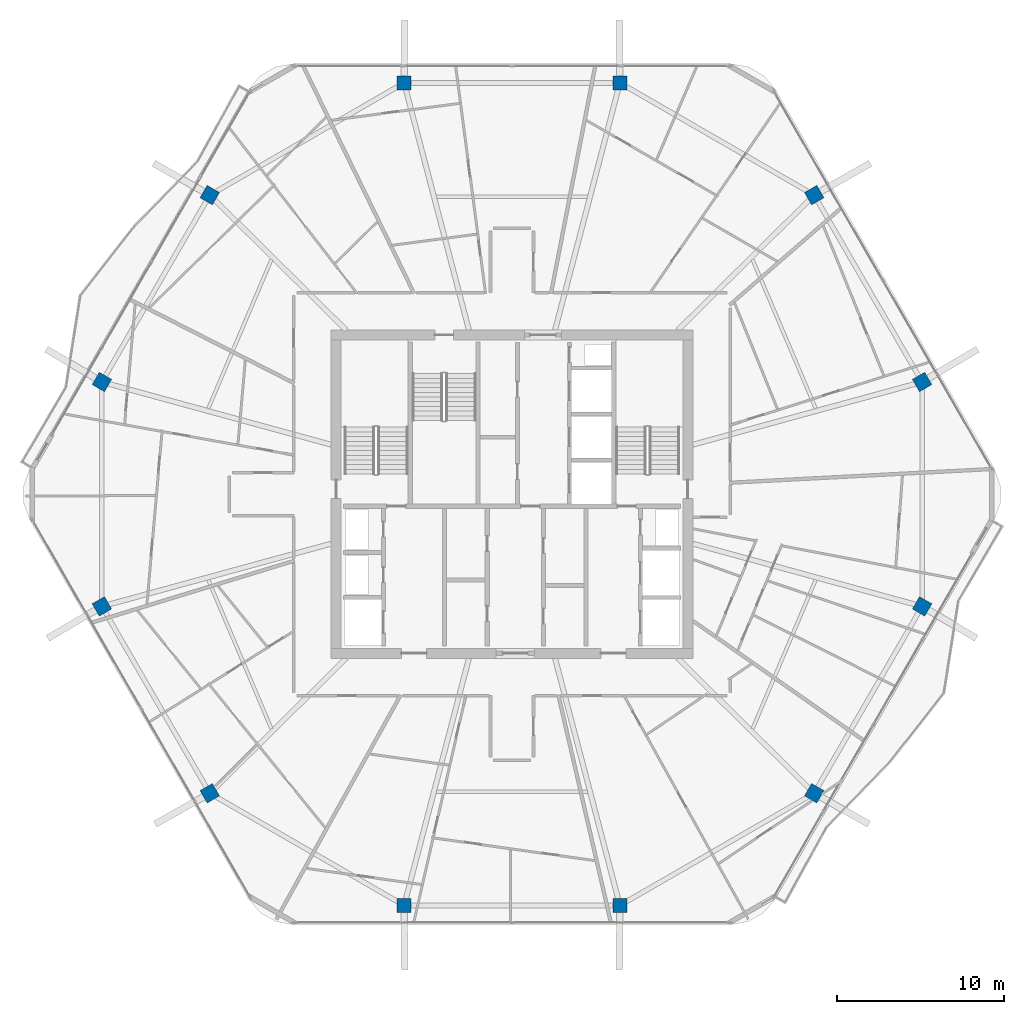
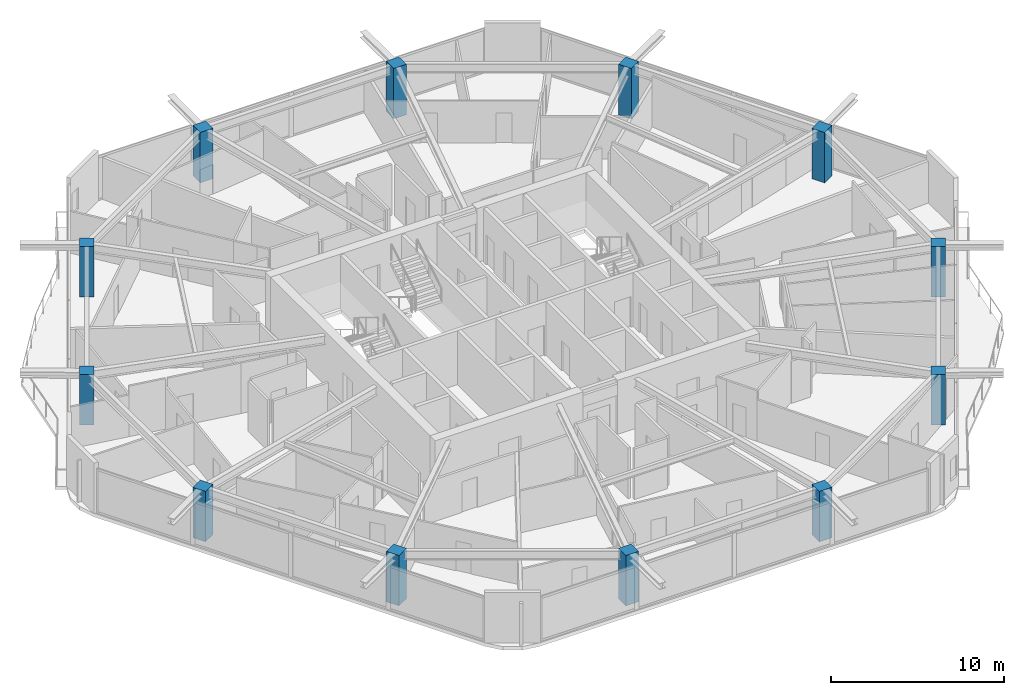
# One storey, part 1 of 26: 12 columns.
"""IFC4 building model written with IfcOpenShell, lengths in metres."""

from ifc_helpers import new_model, si_unit, direction, frame, origin, origin_2d, place, context, subcontext, project, spatial, rectangle, extrude, material, material_profile, profile_set, type_object, element, save


model = new_model("IFC4")

# Units and contexts
model_context = context("Model", 3, precision=1e-05, world=origin(), true_north=direction((0.0, 1.0)))
body_context = subcontext(model_context, "Body", "Model", "MODEL_VIEW")
ifc_project = project(units=[si_unit("LENGTHUNIT", "METRE"), si_unit("AREAUNIT", "SQUARE_METRE"), si_unit("VOLUMEUNIT", "CUBIC_METRE"), si_unit("PLANEANGLEUNIT", "RADIAN"), si_unit("MASSUNIT", "GRAM", prefix="KILO")], contexts=[model_context])

# Site, building, storey
site_placement = place(None, origin())
site = spatial("IfcSite", under=ifc_project, at=site_placement, CompositionType="ELEMENT")
building_placement = place(site_placement, origin())
building = spatial("IfcBuilding", under=site, at=building_placement, Name="Zuhravey Tower", CompositionType="ELEMENT")
storey_placement = place(building_placement, frame((0.0, 0.0, 280.60009765625)))
storey = spatial("IfcBuildingStorey", under=building, at=storey_placement, Name="L71", CompositionType="ELEMENT", Elevation=280.60009765625)

# Columns
ifc_material = material(Name="Concrete C50/60", Category="concrete")
ifc_material_profile = material_profile(ifc_material, rectangle(XDim=0.85009765625, YDim=0.85009765625, at=origin_2d()), Name="RC-850x850")
ifc_profile_set = profile_set([ifc_material_profile], Name="Concrete C50/60")
column_type = type_object("IfcColumnType", Name="Zone 3 Upper Column 850x850", PredefinedType="COLUMN", material=ifc_profile_set)
for number, where, z_axis, x_axis, name in (
    (1, (60.484619140625, 38.698974609375, 0.0), (0.0, 0.0, 1.0), (-0.5, 0.866025403784, 0.0), "L71 Perimeter Column PC01"),
    (2, (54.043701171875, 49.854736328125, 0.0), (0.0, 0.0, 1.0), (-0.5, 0.866025403784, 0.0), "L71 Perimeter Column PC02"),
    (3, (42.44091796875, 56.5537109375, 0.0), (0.0, 0.0, 1.0), (-1.0, 0.0, 0.0), "L71 Perimeter Column PC03"),
    (4, (29.55908203125, 56.5537109375, 0.0), (0.0, 0.0, 1.0), (-1.0, 0.0, 0.0), "L71 Perimeter Column PC04"),
    (5, (17.956298828125, 49.854736328125, 0.0), (0.0, 0.0, 1.0), (-0.5, -0.866025403784, 0.0), "L71 Perimeter Column PC05"),
    (6, (11.515380859375, 38.698974609375, 0.0), (0.0, 0.0, 1.0), (-0.5, -0.866025403784, 0.0), "L71 Perimeter Column PC06"),
    (7, (11.515380859375, 25.301025390625, 0.0), (0.0, 0.0, 1.0), (0.5, -0.866025403784, 0.0), "L71 Perimeter Column PC07"),
    (8, (17.956298828125, 14.145263671875, 0.0), (0.0, 0.0, 1.0), (0.5, -0.866025403784, 0.0), "L71 Perimeter Column PC08"),
    (9, (29.55908203125, 7.4462890625, 0.0), (0.0, 0.0, 1.0), (1.0, 0.0, 0.0), "L71 Perimeter Column PC09"),
    (10, (42.44091796875, 7.4462890625, 0.0), (0.0, 0.0, 1.0), (1.0, 0.0, 0.0), "L71 Perimeter Column PC10"),
    (11, (54.043701171875, 14.145263671875, 0.0), (0.0, 0.0, 1.0), (0.5, 0.866025403784, 0.0), "L71 Perimeter Column PC11"),
    (12, (60.484619140625, 25.301025390625, 0.0), (0.0, 0.0, 1.0), (0.5, 0.866025403784, 0.0), "L71 Perimeter Column PC12"),
):
    element("IfcColumn", number, at=place(storey_placement, frame(where, z_axis=z_axis, x_axis=x_axis)), inside=storey, type_object=column_type, Name=name, PredefinedType="COLUMN", context=body_context, shape_type="SweptSolid", body=[
        extrude(rectangle(XDim=0.85009765625, YDim=0.85009765625, at=origin_2d()), origin(), (0.0, 0.0, 1.0), 3.5498046875),
    ])

save(model, "model.ifc")
